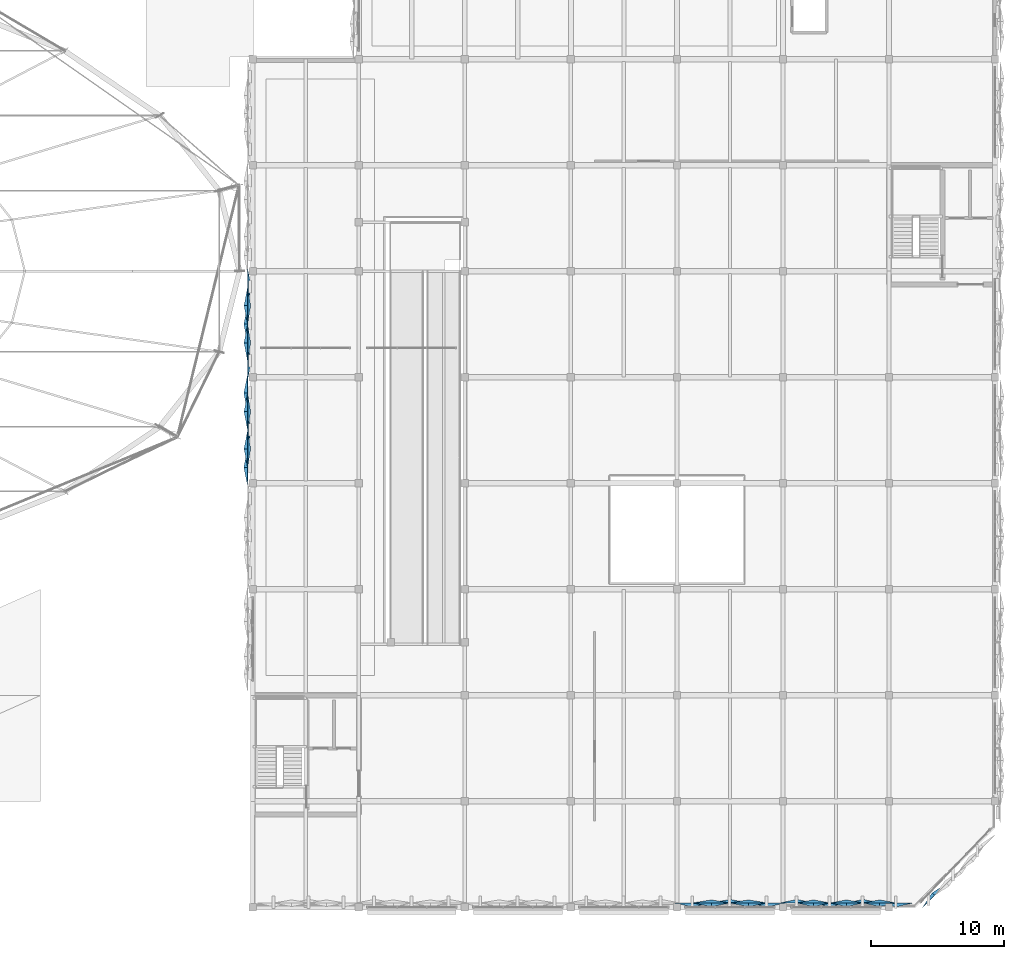
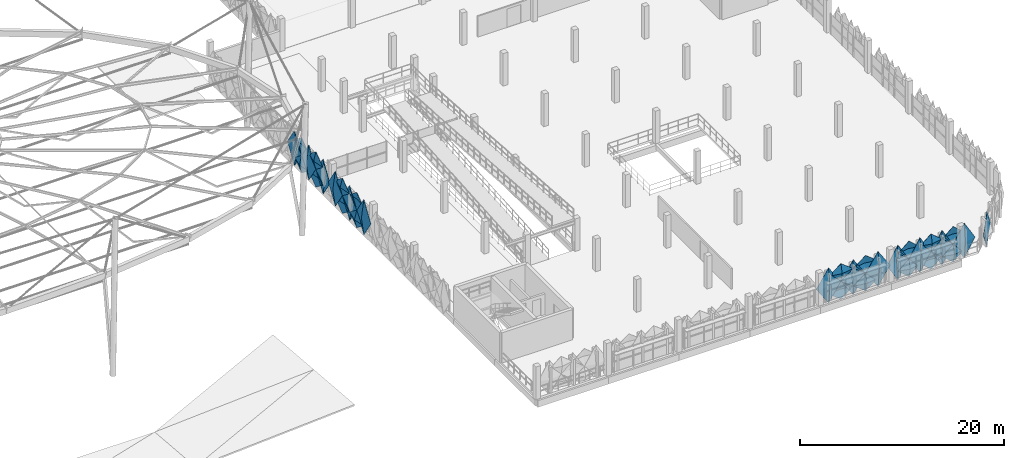
# One storey, part 70 of 96: 32 plates.
"""IFC4 building model written with IfcOpenShell, lengths in metres."""

from ifc_helpers import new_model, si_unit, derived_unit, direction, frame, origin, place, context, subcontext, project, spatial, polygons, material, layer, layer_set, type_object, element, save


model = new_model("IFC4")

# Units and contexts
model_context = context("Model", 3, precision=1e-05, world=origin(), true_north=direction((0.0, 1.0)))
body_context = subcontext(model_context, "Body", "Model", "MODEL_VIEW")
ifc_project = project(units=[si_unit("LENGTHUNIT", "METRE"), si_unit("AREAUNIT", "SQUARE_METRE"), si_unit("VOLUMEUNIT", "CUBIC_METRE"), si_unit("PLANEANGLEUNIT", "RADIAN"), si_unit("MASSUNIT", "GRAM", prefix="KILO"), si_unit("THERMODYNAMICTEMPERATUREUNIT", "KELVIN"), derived_unit("THERMALTRANSMITTANCEUNIT", [(si_unit("POWERUNIT", "WATT"), 1), (si_unit("AREAUNIT", "SQUARE_METRE"), -1), (si_unit("THERMODYNAMICTEMPERATUREUNIT", "KELVIN"), -1)])], contexts=[model_context])

# Site, building, storey
site_placement = place(None, origin())
site = spatial("IfcSite", under=ifc_project, at=site_placement, CompositionType="ELEMENT")
building_placement = place(site_placement, origin())
building = spatial("IfcBuilding", under=site, at=building_placement, Name="Haiyu Intermodal Mobility Hub", CompositionType="ELEMENT")
storey_placement = place(building_placement, frame((0.0, 0.0, 9.5)))
storey = spatial("IfcBuildingStorey", under=building, at=storey_placement, Name="L02", CompositionType="ELEMENT", Elevation=9.5)

# Plates
ifc_material = material(Name="Anodised aluminium 6063-T6", Category="aluminium")
ifc_layer_1 = layer(ifc_material, 0.01806640625)
ifc_layer_set_1 = layer_set([ifc_layer_1], Name="Anodised aluminium 6063-T6")
plate_type_1 = type_object("IfcPlateType", Name="PLT-FC01", PredefinedType="USERDEFINED", material=ifc_layer_set_1)
plate_1_placement = place(storey_placement, origin())
element("IfcPlate", 1, at=plate_1_placement, inside=storey, type_object=plate_type_1, Name="PLT-PYR-1642", ObjectType="FACADE CASSETTE", PredefinedType="USERDEFINED", context=body_context, shape_type="Tessellation", body=[
    polygons([(192.800048828125, 16.320068359375, -0.510009765625), (194.179931640625, 16.320068359375, 1.60009765625), (192.800048828125, 16.320068359375, 3.7099609375), (191.419921875, 16.320068359375, 1.60009765625), (192.800048828125, 16.0400390625, 1.60009765625), (192.800048828125, 16.342041015625, -0.510009765625), (194.179931640625, 16.342041015625, 1.60009765625), (192.800048828125, 16.342041015625, 3.7099609375), (191.419921875, 16.342041015625, 1.60009765625), (192.800048828125, 16.06201171875, 1.60009765625)], [[[1, 2, 5]], [[2, 3, 5]], [[3, 4, 5]], [[4, 1, 5]], [[7, 6, 10]], [[8, 7, 10]], [[9, 8, 10]], [[6, 9, 10]], [[1, 6, 7, 2]], [[2, 7, 8, 3]], [[3, 8, 9, 4]], [[4, 9, 6, 1]]], closed=True),
])
plate_2_placement = place(storey_placement, origin())
element("IfcPlate", 2, at=plate_2_placement, inside=storey, type_object=plate_type_1, Name="PLT-PYR-1715", ObjectType="FACADE CASSETTE", PredefinedType="USERDEFINED", context=body_context, shape_type="Tessellation", body=[
    polygons([(153.60009765625, 49.199951171875, -0.510009765625), (153.60009765625, 47.820068359375, 1.60009765625), (153.60009765625, 49.199951171875, 3.7099609375), (153.60009765625, 50.580078125, 1.60009765625), (153.320068359375, 49.199951171875, 1.60009765625), (153.6220703125, 49.199951171875, -0.510009765625), (153.6220703125, 47.820068359375, 1.60009765625), (153.6220703125, 49.199951171875, 3.7099609375), (153.6220703125, 50.580078125, 1.60009765625), (153.342041015625, 49.199951171875, 1.60009765625)], [[[1, 2, 5]], [[2, 3, 5]], [[3, 4, 5]], [[4, 1, 5]], [[7, 6, 10]], [[8, 7, 10]], [[9, 8, 10]], [[6, 9, 10]], [[1, 6, 7, 2]], [[2, 7, 8, 3]], [[3, 8, 9, 4]], [[4, 9, 6, 1]]], closed=True),
])
ifc_layer_2 = layer(ifc_material, 0.02001953125)
ifc_layer_set_2 = layer_set([ifc_layer_2], Name="Anodised aluminium 6063-T6")
plate_type_2 = type_object("IfcPlateType", Name="PLT-FC02", PredefinedType="USERDEFINED", material=ifc_layer_set_2)
plate_3_placement = place(storey_placement, origin())
element("IfcPlate", 3, at=plate_3_placement, inside=storey, type_object=plate_type_2, Name="PLT-PYR-1649", ObjectType="FACADE CASSETTE", PredefinedType="USERDEFINED", context=body_context, shape_type="Tessellation", body=[
    polygons([(200.050048828125, 16.320068359375, -0.510009765625), (201.280029296875, 16.320068359375, 1.60009765625), (200.050048828125, 16.320068359375, 3.7099609375), (198.820068359375, 16.320068359375, 1.60009765625), (200.050048828125, 16.580078125, 1.60009765625), (200.050048828125, 16.342041015625, -0.510009765625), (201.280029296875, 16.342041015625, 1.60009765625), (200.050048828125, 16.342041015625, 3.7099609375), (198.820068359375, 16.342041015625, 1.60009765625), (200.050048828125, 16.60205078125, 1.60009765625)], [[[1, 2, 5]], [[2, 3, 5]], [[3, 4, 5]], [[4, 1, 5]], [[7, 6, 10]], [[8, 7, 10]], [[9, 8, 10]], [[6, 9, 10]], [[1, 6, 7, 2]], [[2, 7, 8, 3]], [[3, 8, 9, 4]], [[4, 9, 6, 1]]], closed=True),
])
plate_4_placement = place(storey_placement, origin())
element("IfcPlate", 4, at=plate_4_placement, inside=storey, type_object=plate_type_2, Name="PLT-PYR-1722", ObjectType="FACADE CASSETTE", PredefinedType="USERDEFINED", context=body_context, shape_type="Tessellation", body=[
    polygons([(153.60009765625, 57.199951171875, -0.510009765625), (153.60009765625, 55.820068359375, 1.60009765625), (153.60009765625, 57.199951171875, 3.7099609375), (153.60009765625, 58.580078125, 1.60009765625), (153.860107421875, 57.199951171875, 1.60009765625), (153.6220703125, 57.199951171875, -0.510009765625), (153.6220703125, 55.820068359375, 1.60009765625), (153.6220703125, 57.199951171875, 3.7099609375), (153.6220703125, 58.580078125, 1.60009765625), (153.882080078125, 57.199951171875, 1.60009765625)], [[[1, 2, 5]], [[2, 3, 5]], [[3, 4, 5]], [[4, 1, 5]], [[7, 6, 10]], [[8, 7, 10]], [[9, 8, 10]], [[6, 9, 10]], [[1, 6, 7, 2]], [[2, 7, 8, 3]], [[3, 8, 9, 4]], [[4, 9, 6, 1]]], closed=True),
])
ifc_layer_3 = layer(ifc_material, 0.01806640625)
ifc_layer_set_3 = layer_set([ifc_layer_3], Name="Anodised aluminium 6063-T6")
plate_type_3 = type_object("IfcPlateType", Name="PLT-FC03", PredefinedType="USERDEFINED", material=ifc_layer_set_3)
plate_5_placement = place(storey_placement, origin())
element("IfcPlate", 5, at=plate_5_placement, inside=storey, type_object=plate_type_3, Name="PLT-PYR-1652", ObjectType="FACADE CASSETTE", PredefinedType="USERDEFINED", context=body_context, shape_type="Tessellation", body=[
    polygons([(202.550048828125, 16.320068359375, -0.510009765625), (203.780029296875, 16.320068359375, 1.60009765625), (202.550048828125, 16.320068359375, 3.7099609375), (201.320068359375, 16.320068359375, 1.60009765625), (202.550048828125, 16.0400390625, 1.60009765625), (202.550048828125, 16.342041015625, -0.510009765625), (203.780029296875, 16.342041015625, 1.60009765625), (202.550048828125, 16.342041015625, 3.7099609375), (201.320068359375, 16.342041015625, 1.60009765625), (202.550048828125, 16.06201171875, 1.60009765625)], [[[1, 2, 5]], [[2, 3, 5]], [[3, 4, 5]], [[4, 1, 5]], [[7, 6, 10]], [[8, 7, 10]], [[9, 8, 10]], [[6, 9, 10]], [[1, 6, 7, 2]], [[2, 7, 8, 3]], [[3, 8, 9, 4]], [[4, 9, 6, 1]]], closed=True),
])
ifc_layer_4 = layer(ifc_material, 0.01806640625)
ifc_layer_set_4 = layer_set([ifc_layer_4], Name="Anodised aluminium 6063-T6")
plate_type_4 = type_object("IfcPlateType", Name="PLT-FC05", PredefinedType="USERDEFINED", material=ifc_layer_set_4)
plate_6_placement = place(storey_placement, origin())
element("IfcPlate", 6, at=plate_6_placement, inside=storey, type_object=plate_type_4, Name="PLT-PYR-1636", ObjectType="FACADE CASSETTE", PredefinedType="USERDEFINED", context=body_context, shape_type="Tessellation", body=[
    polygons([(187.199951171875, 16.320068359375, -0.510009765625), (188.580078125, 16.320068359375, 1.60009765625), (187.199951171875, 16.320068359375, 3.7099609375), (185.820068359375, 16.320068359375, 1.60009765625), (187.199951171875, 16.0400390625, 1.60009765625), (187.199951171875, 16.342041015625, -0.510009765625), (188.580078125, 16.342041015625, 1.60009765625), (187.199951171875, 16.342041015625, 3.7099609375), (185.820068359375, 16.342041015625, 1.60009765625), (187.199951171875, 16.06201171875, 1.60009765625)], [[[1, 2, 5]], [[2, 3, 5]], [[3, 4, 5]], [[4, 1, 5]], [[7, 6, 10]], [[8, 7, 10]], [[9, 8, 10]], [[6, 9, 10]], [[1, 6, 7, 2]], [[2, 7, 8, 3]], [[3, 8, 9, 4]], [[4, 9, 6, 1]]], closed=True),
])
plate_7_placement = place(storey_placement, origin())
element("IfcPlate", 7, at=plate_7_placement, inside=storey, type_object=plate_type_4, Name="PLT-PYR-1640", ObjectType="FACADE CASSETTE", PredefinedType="USERDEFINED", context=body_context, shape_type="Tessellation", body=[
    polygons([(191.39990234375, 16.320068359375, -0.52001953125), (192.780029296875, 16.320068359375, 0.530029296875), (191.39990234375, 16.320068359375, 1.580078125), (190.02001953125, 16.320068359375, 0.530029296875), (191.39990234375, 16.06005859375, 0.530029296875), (191.39990234375, 16.342041015625, -0.52001953125), (192.780029296875, 16.342041015625, 0.530029296875), (191.39990234375, 16.342041015625, 1.580078125), (190.02001953125, 16.342041015625, 0.530029296875), (191.39990234375, 16.08203125, 0.530029296875)], [[[1, 2, 5]], [[2, 3, 5]], [[3, 4, 5]], [[4, 1, 5]], [[7, 6, 10]], [[8, 7, 10]], [[9, 8, 10]], [[6, 9, 10]], [[1, 6, 7, 2]], [[2, 7, 8, 3]], [[3, 8, 9, 4]], [[4, 9, 6, 1]]], closed=True),
])
plate_8_placement = place(storey_placement, origin())
element("IfcPlate", 8, at=plate_8_placement, inside=storey, type_object=plate_type_4, Name="PLT-PYR-1644", ObjectType="FACADE CASSETTE", PredefinedType="USERDEFINED", context=body_context, shape_type="Tessellation", body=[
    polygons([(196.300048828125, 16.320068359375, -0.52001953125), (197.530029296875, 16.320068359375, 0.530029296875), (196.300048828125, 16.320068359375, 1.580078125), (195.070068359375, 16.320068359375, 0.530029296875), (196.300048828125, 16.06005859375, 0.530029296875), (196.300048828125, 16.342041015625, -0.52001953125), (197.530029296875, 16.342041015625, 0.530029296875), (196.300048828125, 16.342041015625, 1.580078125), (195.070068359375, 16.342041015625, 0.530029296875), (196.300048828125, 16.08203125, 0.530029296875)], [[[1, 2, 5]], [[2, 3, 5]], [[3, 4, 5]], [[4, 1, 5]], [[7, 6, 10]], [[8, 7, 10]], [[9, 8, 10]], [[6, 9, 10]], [[1, 6, 7, 2]], [[2, 7, 8, 3]], [[3, 8, 9, 4]], [[4, 9, 6, 1]]], closed=True),
])
plate_9_placement = place(storey_placement, origin())
element("IfcPlate", 9, at=plate_9_placement, inside=storey, type_object=plate_type_4, Name="PLT-PYR-1650", ObjectType="FACADE CASSETTE", PredefinedType="USERDEFINED", context=body_context, shape_type="Tessellation", body=[
    polygons([(201.300048828125, 16.320068359375, -0.52001953125), (202.530029296875, 16.320068359375, 0.530029296875), (201.300048828125, 16.320068359375, 1.580078125), (200.070068359375, 16.320068359375, 0.530029296875), (201.300048828125, 16.06005859375, 0.530029296875), (201.300048828125, 16.342041015625, -0.52001953125), (202.530029296875, 16.342041015625, 0.530029296875), (201.300048828125, 16.342041015625, 1.580078125), (200.070068359375, 16.342041015625, 0.530029296875), (201.300048828125, 16.08203125, 0.530029296875)], [[[1, 2, 5]], [[2, 3, 5]], [[3, 4, 5]], [[4, 1, 5]], [[7, 6, 10]], [[8, 7, 10]], [[9, 8, 10]], [[6, 9, 10]], [[1, 6, 7, 2]], [[2, 7, 8, 3]], [[3, 8, 9, 4]], [[4, 9, 6, 1]]], closed=True),
])
plate_10_placement = place(storey_placement, origin())
element("IfcPlate", 10, at=plate_10_placement, inside=storey, type_object=plate_type_4, Name="PLT-PYR-1709", ObjectType="FACADE CASSETTE", PredefinedType="USERDEFINED", context=body_context, shape_type="Tessellation", body=[
    polygons([(153.60009765625, 54.800048828125, -0.510009765625), (153.60009765625, 53.419921875, 1.60009765625), (153.60009765625, 54.800048828125, 3.7099609375), (153.60009765625, 56.179931640625, 1.60009765625), (153.320068359375, 54.800048828125, 1.60009765625), (153.6220703125, 54.800048828125, -0.510009765625), (153.6220703125, 53.419921875, 1.60009765625), (153.6220703125, 54.800048828125, 3.7099609375), (153.6220703125, 56.179931640625, 1.60009765625), (153.342041015625, 54.800048828125, 1.60009765625)], [[[1, 2, 5]], [[2, 3, 5]], [[3, 4, 5]], [[4, 1, 5]], [[7, 6, 10]], [[8, 7, 10]], [[9, 8, 10]], [[6, 9, 10]], [[1, 6, 7, 2]], [[2, 7, 8, 3]], [[3, 8, 9, 4]], [[4, 9, 6, 1]]], closed=True),
])
plate_11_placement = place(storey_placement, origin())
element("IfcPlate", 11, at=plate_11_placement, inside=storey, type_object=plate_type_4, Name="PLT-PYR-1713", ObjectType="FACADE CASSETTE", PredefinedType="USERDEFINED", context=body_context, shape_type="Tessellation", body=[
    polygons([(153.60009765625, 50.60009765625, -0.52001953125), (153.60009765625, 49.219970703125, 0.530029296875), (153.60009765625, 50.60009765625, 1.580078125), (153.60009765625, 51.97998046875, 0.530029296875), (153.340087890625, 50.60009765625, 0.530029296875), (153.6220703125, 50.60009765625, -0.52001953125), (153.6220703125, 49.219970703125, 0.530029296875), (153.6220703125, 50.60009765625, 1.580078125), (153.6220703125, 51.97998046875, 0.530029296875), (153.362060546875, 50.60009765625, 0.530029296875)], [[[1, 2, 5]], [[2, 3, 5]], [[3, 4, 5]], [[4, 1, 5]], [[7, 6, 10]], [[8, 7, 10]], [[9, 8, 10]], [[6, 9, 10]], [[1, 6, 7, 2]], [[2, 7, 8, 3]], [[3, 8, 9, 4]], [[4, 9, 6, 1]]], closed=True),
])
plate_12_placement = place(storey_placement, origin())
element("IfcPlate", 12, at=plate_12_placement, inside=storey, type_object=plate_type_4, Name="PLT-PYR-1717", ObjectType="FACADE CASSETTE", PredefinedType="USERDEFINED", context=body_context, shape_type="Tessellation", body=[
    polygons([(153.60009765625, 61.39990234375, -0.52001953125), (153.60009765625, 60.02001953125, 0.530029296875), (153.60009765625, 61.39990234375, 1.580078125), (153.60009765625, 62.780029296875, 0.530029296875), (153.340087890625, 61.39990234375, 0.530029296875), (153.6220703125, 61.39990234375, -0.52001953125), (153.6220703125, 60.02001953125, 0.530029296875), (153.6220703125, 61.39990234375, 1.580078125), (153.6220703125, 62.780029296875, 0.530029296875), (153.362060546875, 61.39990234375, 0.530029296875)], [[[1, 2, 5]], [[2, 3, 5]], [[3, 4, 5]], [[4, 1, 5]], [[7, 6, 10]], [[8, 7, 10]], [[9, 8, 10]], [[6, 9, 10]], [[1, 6, 7, 2]], [[2, 7, 8, 3]], [[3, 8, 9, 4]], [[4, 9, 6, 1]]], closed=True),
])
ifc_layer_5 = layer(ifc_material, 0.02001953125)
ifc_layer_set_5 = layer_set([ifc_layer_5], Name="Anodised aluminium 6063-T6")
plate_type_5 = type_object("IfcPlateType", Name="PLT-FC06", PredefinedType="USERDEFINED", material=ifc_layer_set_5)
plate_13_placement = place(storey_placement, origin())
element("IfcPlate", 13, at=plate_13_placement, inside=storey, type_object=plate_type_5, Name="PLT-PYR-1465", ObjectType="FACADE CASSETTE", PredefinedType="USERDEFINED", context=body_context, shape_type="Tessellation", body=[
    polygons([(205.449951171875, 16.884033203125, -0.510009765625), (206.35205078125, 17.785888671875, 1.60009765625), (205.449951171875, 16.884033203125, 3.7099609375), (204.547119140625, 15.98095703125, 1.60009765625), (205.26611328125, 17.068115234375, 1.60009765625), (205.43408203125, 16.89892578125, -0.510009765625), (206.3359375, 17.802001953125, 1.60009765625), (205.43408203125, 16.89892578125, 3.7099609375), (204.531005859375, 15.9970703125, 1.60009765625), (205.25, 17.0830078125, 1.60009765625)], [[[1, 2, 5]], [[2, 3, 5]], [[3, 4, 5]], [[4, 1, 5]], [[7, 6, 10]], [[8, 7, 10]], [[9, 8, 10]], [[6, 9, 10]], [[1, 6, 7, 2]], [[2, 7, 8, 3]], [[3, 8, 9, 4]], [[4, 9, 6, 1]]], closed=True),
])
plate_14_placement = place(storey_placement, origin())
element("IfcPlate", 14, at=plate_14_placement, inside=storey, type_object=plate_type_5, Name="PLT-PYR-1637", ObjectType="FACADE CASSETTE", PredefinedType="USERDEFINED", context=body_context, shape_type="Tessellation", body=[
    polygons([(188.60009765625, 16.320068359375, -0.52001953125), (189.97998046875, 16.320068359375, 0.530029296875), (188.60009765625, 16.320068359375, 1.580078125), (187.219970703125, 16.320068359375, 0.530029296875), (188.60009765625, 16.5400390625, 0.530029296875), (188.60009765625, 16.342041015625, -0.52001953125), (189.97998046875, 16.342041015625, 0.530029296875), (188.60009765625, 16.342041015625, 1.580078125), (187.219970703125, 16.342041015625, 0.530029296875), (188.60009765625, 16.56201171875, 0.530029296875)], [[[1, 2, 5]], [[2, 3, 5]], [[3, 4, 5]], [[4, 1, 5]], [[7, 6, 10]], [[8, 7, 10]], [[9, 8, 10]], [[6, 9, 10]], [[1, 6, 7, 2]], [[2, 7, 8, 3]], [[3, 8, 9, 4]], [[4, 9, 6, 1]]], closed=True),
])
plate_15_placement = place(storey_placement, origin())
element("IfcPlate", 15, at=plate_15_placement, inside=storey, type_object=plate_type_5, Name="PLT-PYR-1643", ObjectType="FACADE CASSETTE", PredefinedType="USERDEFINED", context=body_context, shape_type="Tessellation", body=[
    polygons([(195.050048828125, 16.320068359375, -0.510009765625), (196.280029296875, 16.320068359375, 1.60009765625), (195.050048828125, 16.320068359375, 3.7099609375), (193.820068359375, 16.320068359375, 1.60009765625), (195.050048828125, 16.580078125, 1.60009765625), (195.050048828125, 16.342041015625, -0.510009765625), (196.280029296875, 16.342041015625, 1.60009765625), (195.050048828125, 16.342041015625, 3.7099609375), (193.820068359375, 16.342041015625, 1.60009765625), (195.050048828125, 16.60205078125, 1.60009765625)], [[[1, 2, 5]], [[2, 3, 5]], [[3, 4, 5]], [[4, 1, 5]], [[7, 6, 10]], [[8, 7, 10]], [[9, 8, 10]], [[6, 9, 10]], [[1, 6, 7, 2]], [[2, 7, 8, 3]], [[3, 8, 9, 4]], [[4, 9, 6, 1]]], closed=True),
])
plate_16_placement = place(storey_placement, origin())
element("IfcPlate", 16, at=plate_16_placement, inside=storey, type_object=plate_type_5, Name="PLT-PYR-1647", ObjectType="FACADE CASSETTE", PredefinedType="USERDEFINED", context=body_context, shape_type="Tessellation", body=[
    polygons([(198.800048828125, 16.320068359375, -0.52001953125), (200.030029296875, 16.320068359375, 0.530029296875), (198.800048828125, 16.320068359375, 1.580078125), (197.570068359375, 16.320068359375, 0.530029296875), (198.800048828125, 16.5400390625, 0.530029296875), (198.800048828125, 16.342041015625, -0.52001953125), (200.030029296875, 16.342041015625, 0.530029296875), (198.800048828125, 16.342041015625, 1.580078125), (197.570068359375, 16.342041015625, 0.530029296875), (198.800048828125, 16.56201171875, 0.530029296875)], [[[1, 2, 5]], [[2, 3, 5]], [[3, 4, 5]], [[4, 1, 5]], [[7, 6, 10]], [[8, 7, 10]], [[9, 8, 10]], [[6, 9, 10]], [[1, 6, 7, 2]], [[2, 7, 8, 3]], [[3, 8, 9, 4]], [[4, 9, 6, 1]]], closed=True),
])
plate_17_placement = place(storey_placement, origin())
element("IfcPlate", 17, at=plate_17_placement, inside=storey, type_object=plate_type_5, Name="PLT-PYR-1710", ObjectType="FACADE CASSETTE", PredefinedType="USERDEFINED", context=body_context, shape_type="Tessellation", body=[
    polygons([(153.60009765625, 53.39990234375, -0.52001953125), (153.60009765625, 52.02001953125, 0.530029296875), (153.60009765625, 53.39990234375, 1.580078125), (153.60009765625, 54.780029296875, 0.530029296875), (153.820068359375, 53.39990234375, 0.530029296875), (153.6220703125, 53.39990234375, -0.52001953125), (153.6220703125, 52.02001953125, 0.530029296875), (153.6220703125, 53.39990234375, 1.580078125), (153.6220703125, 54.780029296875, 0.530029296875), (153.842041015625, 53.39990234375, 0.530029296875)], [[[1, 2, 5]], [[2, 3, 5]], [[3, 4, 5]], [[4, 1, 5]], [[7, 6, 10]], [[8, 7, 10]], [[9, 8, 10]], [[6, 9, 10]], [[1, 6, 7, 2]], [[2, 7, 8, 3]], [[3, 8, 9, 4]], [[4, 9, 6, 1]]], closed=True),
])
plate_18_placement = place(storey_placement, origin())
element("IfcPlate", 18, at=plate_18_placement, inside=storey, type_object=plate_type_5, Name="PLT-PYR-1716", ObjectType="FACADE CASSETTE", PredefinedType="USERDEFINED", context=body_context, shape_type="Tessellation", body=[
    polygons([(153.60009765625, 62.800048828125, -0.510009765625), (153.60009765625, 61.419921875, 1.60009765625), (153.60009765625, 62.800048828125, 3.7099609375), (153.60009765625, 64.179931640625, 1.60009765625), (153.860107421875, 62.800048828125, 1.60009765625), (153.6220703125, 62.800048828125, -0.510009765625), (153.6220703125, 61.419921875, 1.60009765625), (153.6220703125, 62.800048828125, 3.7099609375), (153.6220703125, 64.179931640625, 1.60009765625), (153.882080078125, 62.800048828125, 1.60009765625)], [[[1, 2, 5]], [[2, 3, 5]], [[3, 4, 5]], [[4, 1, 5]], [[7, 6, 10]], [[8, 7, 10]], [[9, 8, 10]], [[6, 9, 10]], [[1, 6, 7, 2]], [[2, 7, 8, 3]], [[3, 8, 9, 4]], [[4, 9, 6, 1]]], closed=True),
])
plate_19_placement = place(storey_placement, origin())
element("IfcPlate", 19, at=plate_19_placement, inside=storey, type_object=plate_type_5, Name="PLT-PYR-1720", ObjectType="FACADE CASSETTE", PredefinedType="USERDEFINED", context=body_context, shape_type="Tessellation", body=[
    polygons([(153.60009765625, 58.60009765625, -0.52001953125), (153.60009765625, 57.219970703125, 0.530029296875), (153.60009765625, 58.60009765625, 1.580078125), (153.60009765625, 59.97998046875, 0.530029296875), (153.820068359375, 58.60009765625, 0.530029296875), (153.6220703125, 58.60009765625, -0.52001953125), (153.6220703125, 57.219970703125, 0.530029296875), (153.6220703125, 58.60009765625, 1.580078125), (153.6220703125, 59.97998046875, 0.530029296875), (153.842041015625, 58.60009765625, 0.530029296875)], [[[1, 2, 5]], [[2, 3, 5]], [[3, 4, 5]], [[4, 1, 5]], [[7, 6, 10]], [[8, 7, 10]], [[9, 8, 10]], [[6, 9, 10]], [[1, 6, 7, 2]], [[2, 7, 8, 3]], [[3, 8, 9, 4]], [[4, 9, 6, 1]]], closed=True),
])
ifc_layer_6 = layer(ifc_material, 0.02197265625)
ifc_layer_set_6 = layer_set([ifc_layer_6], Name="Anodised aluminium 6063-T6")
plate_type_6 = type_object("IfcPlateType", Name="PLT-FC07", PredefinedType="USERDEFINED", material=ifc_layer_set_6)
plate_20_placement = place(storey_placement, origin())
element("IfcPlate", 20, at=plate_20_placement, inside=storey, type_object=plate_type_6, Name="PLT-PYR-1638", ObjectType="FACADE CASSETTE", PredefinedType="USERDEFINED", context=body_context, shape_type="Tessellation", body=[
    polygons([(188.60009765625, 16.320068359375, 1.6201171875), (189.97998046875, 16.320068359375, 2.669921875), (188.60009765625, 16.320068359375, 3.719970703125), (187.219970703125, 16.320068359375, 2.669921875), (188.60009765625, 16.06005859375, 2.669921875), (188.60009765625, 16.342041015625, 1.6201171875), (189.97998046875, 16.342041015625, 2.669921875), (188.60009765625, 16.342041015625, 3.719970703125), (187.219970703125, 16.342041015625, 2.669921875), (188.60009765625, 16.08203125, 2.669921875)], [[[1, 2, 5]], [[2, 3, 5]], [[3, 4, 5]], [[4, 1, 5]], [[7, 6, 10]], [[8, 7, 10]], [[9, 8, 10]], [[6, 9, 10]], [[1, 6, 7, 2]], [[2, 7, 8, 3]], [[3, 8, 9, 4]], [[4, 9, 6, 1]]], closed=True),
])
plate_21_placement = place(storey_placement, origin())
element("IfcPlate", 21, at=plate_21_placement, inside=storey, type_object=plate_type_6, Name="PLT-PYR-1646", ObjectType="FACADE CASSETTE", PredefinedType="USERDEFINED", context=body_context, shape_type="Tessellation", body=[
    polygons([(197.550048828125, 16.320068359375, -0.510009765625), (198.780029296875, 16.320068359375, 1.60009765625), (197.550048828125, 16.320068359375, 3.7099609375), (196.320068359375, 16.320068359375, 1.60009765625), (197.550048828125, 16.0400390625, 1.60009765625), (197.550048828125, 16.342041015625, -0.510009765625), (198.780029296875, 16.342041015625, 1.60009765625), (197.550048828125, 16.342041015625, 3.7099609375), (196.320068359375, 16.342041015625, 1.60009765625), (197.550048828125, 16.06201171875, 1.60009765625)], [[[1, 2, 5]], [[2, 3, 5]], [[3, 4, 5]], [[4, 1, 5]], [[7, 6, 10]], [[8, 7, 10]], [[9, 8, 10]], [[6, 9, 10]], [[1, 6, 7, 2]], [[2, 7, 8, 3]], [[3, 8, 9, 4]], [[4, 9, 6, 1]]], closed=True),
])
plate_22_placement = place(storey_placement, origin())
element("IfcPlate", 22, at=plate_22_placement, inside=storey, type_object=plate_type_6, Name="PLT-PYR-1648", ObjectType="FACADE CASSETTE", PredefinedType="USERDEFINED", context=body_context, shape_type="Tessellation", body=[
    polygons([(198.800048828125, 16.320068359375, 1.6201171875), (200.030029296875, 16.320068359375, 2.669921875), (198.800048828125, 16.320068359375, 3.719970703125), (197.570068359375, 16.320068359375, 2.669921875), (198.800048828125, 16.06005859375, 2.669921875), (198.800048828125, 16.342041015625, 1.6201171875), (200.030029296875, 16.342041015625, 2.669921875), (198.800048828125, 16.342041015625, 3.719970703125), (197.570068359375, 16.342041015625, 2.669921875), (198.800048828125, 16.08203125, 2.669921875)], [[[1, 2, 5]], [[2, 3, 5]], [[3, 4, 5]], [[4, 1, 5]], [[7, 6, 10]], [[8, 7, 10]], [[9, 8, 10]], [[6, 9, 10]], [[1, 6, 7, 2]], [[2, 7, 8, 3]], [[3, 8, 9, 4]], [[4, 9, 6, 1]]], closed=True),
])
plate_23_placement = place(storey_placement, origin())
element("IfcPlate", 23, at=plate_23_placement, inside=storey, type_object=plate_type_6, Name="PLT-PYR-1711", ObjectType="FACADE CASSETTE", PredefinedType="USERDEFINED", context=body_context, shape_type="Tessellation", body=[
    polygons([(153.60009765625, 53.39990234375, 1.6201171875), (153.60009765625, 52.02001953125, 2.669921875), (153.60009765625, 53.39990234375, 3.719970703125), (153.60009765625, 54.780029296875, 2.669921875), (153.340087890625, 53.39990234375, 2.669921875), (153.6220703125, 53.39990234375, 1.6201171875), (153.6220703125, 52.02001953125, 2.669921875), (153.6220703125, 53.39990234375, 3.719970703125), (153.6220703125, 54.780029296875, 2.669921875), (153.362060546875, 53.39990234375, 2.669921875)], [[[1, 2, 5]], [[2, 3, 5]], [[3, 4, 5]], [[4, 1, 5]], [[7, 6, 10]], [[8, 7, 10]], [[9, 8, 10]], [[6, 9, 10]], [[1, 6, 7, 2]], [[2, 7, 8, 3]], [[3, 8, 9, 4]], [[4, 9, 6, 1]]], closed=True),
])
plate_24_placement = place(storey_placement, origin())
element("IfcPlate", 24, at=plate_24_placement, inside=storey, type_object=plate_type_6, Name="PLT-PYR-1719", ObjectType="FACADE CASSETTE", PredefinedType="USERDEFINED", context=body_context, shape_type="Tessellation", body=[
    polygons([(153.60009765625, 60.0, -0.510009765625), (153.60009765625, 58.6201171875, 1.60009765625), (153.60009765625, 60.0, 3.7099609375), (153.60009765625, 61.3798828125, 1.60009765625), (153.320068359375, 60.0, 1.60009765625), (153.6220703125, 60.0, -0.510009765625), (153.6220703125, 58.6201171875, 1.60009765625), (153.6220703125, 60.0, 3.7099609375), (153.6220703125, 61.3798828125, 1.60009765625), (153.342041015625, 60.0, 1.60009765625)], [[[1, 2, 5]], [[2, 3, 5]], [[3, 4, 5]], [[4, 1, 5]], [[7, 6, 10]], [[8, 7, 10]], [[9, 8, 10]], [[6, 9, 10]], [[1, 6, 7, 2]], [[2, 7, 8, 3]], [[3, 8, 9, 4]], [[4, 9, 6, 1]]], closed=True),
])
plate_25_placement = place(storey_placement, origin())
element("IfcPlate", 25, at=plate_25_placement, inside=storey, type_object=plate_type_6, Name="PLT-PYR-1721", ObjectType="FACADE CASSETTE", PredefinedType="USERDEFINED", context=body_context, shape_type="Tessellation", body=[
    polygons([(153.60009765625, 58.60009765625, 1.6201171875), (153.60009765625, 57.219970703125, 2.669921875), (153.60009765625, 58.60009765625, 3.719970703125), (153.60009765625, 59.97998046875, 2.669921875), (153.340087890625, 58.60009765625, 2.669921875), (153.6220703125, 58.60009765625, 1.6201171875), (153.6220703125, 57.219970703125, 2.669921875), (153.6220703125, 58.60009765625, 3.719970703125), (153.6220703125, 59.97998046875, 2.669921875), (153.362060546875, 58.60009765625, 2.669921875)], [[[1, 2, 5]], [[2, 3, 5]], [[3, 4, 5]], [[4, 1, 5]], [[7, 6, 10]], [[8, 7, 10]], [[9, 8, 10]], [[6, 9, 10]], [[1, 6, 7, 2]], [[2, 7, 8, 3]], [[3, 8, 9, 4]], [[4, 9, 6, 1]]], closed=True),
])
ifc_layer_7 = layer(ifc_material, 0.02392578125)
ifc_layer_set_7 = layer_set([ifc_layer_7], Name="Anodised aluminium 6063-T6")
plate_type_7 = type_object("IfcPlateType", Name="PLT-FC08", PredefinedType="USERDEFINED", material=ifc_layer_set_7)
plate_26_placement = place(storey_placement, origin())
element("IfcPlate", 26, at=plate_26_placement, inside=storey, type_object=plate_type_7, Name="PLT-PYR-1639", ObjectType="FACADE CASSETTE", PredefinedType="USERDEFINED", context=body_context, shape_type="Tessellation", body=[
    polygons([(190.0, 16.320068359375, -0.510009765625), (191.3798828125, 16.320068359375, 1.60009765625), (190.0, 16.320068359375, 3.7099609375), (188.6201171875, 16.320068359375, 1.60009765625), (190.0, 16.580078125, 1.60009765625), (190.0, 16.342041015625, -0.510009765625), (191.3798828125, 16.342041015625, 1.60009765625), (190.0, 16.342041015625, 3.7099609375), (188.6201171875, 16.342041015625, 1.60009765625), (190.0, 16.60205078125, 1.60009765625)], [[[1, 2, 5]], [[2, 3, 5]], [[3, 4, 5]], [[4, 1, 5]], [[7, 6, 10]], [[8, 7, 10]], [[9, 8, 10]], [[6, 9, 10]], [[1, 6, 7, 2]], [[2, 7, 8, 3]], [[3, 8, 9, 4]], [[4, 9, 6, 1]]], closed=True),
])
plate_27_placement = place(storey_placement, origin())
element("IfcPlate", 27, at=plate_27_placement, inside=storey, type_object=plate_type_7, Name="PLT-PYR-1641", ObjectType="FACADE CASSETTE", PredefinedType="USERDEFINED", context=body_context, shape_type="Tessellation", body=[
    polygons([(191.39990234375, 16.320068359375, 1.6201171875), (192.780029296875, 16.320068359375, 2.669921875), (191.39990234375, 16.320068359375, 3.719970703125), (190.02001953125, 16.320068359375, 2.669921875), (191.39990234375, 16.5400390625, 2.669921875), (191.39990234375, 16.342041015625, 1.6201171875), (192.780029296875, 16.342041015625, 2.669921875), (191.39990234375, 16.342041015625, 3.719970703125), (190.02001953125, 16.342041015625, 2.669921875), (191.39990234375, 16.56201171875, 2.669921875)], [[[1, 2, 5]], [[2, 3, 5]], [[3, 4, 5]], [[4, 1, 5]], [[7, 6, 10]], [[8, 7, 10]], [[9, 8, 10]], [[6, 9, 10]], [[1, 6, 7, 2]], [[2, 7, 8, 3]], [[3, 8, 9, 4]], [[4, 9, 6, 1]]], closed=True),
])
plate_28_placement = place(storey_placement, origin())
element("IfcPlate", 28, at=plate_28_placement, inside=storey, type_object=plate_type_7, Name="PLT-PYR-1645", ObjectType="FACADE CASSETTE", PredefinedType="USERDEFINED", context=body_context, shape_type="Tessellation", body=[
    polygons([(196.300048828125, 16.320068359375, 1.6201171875), (197.530029296875, 16.320068359375, 2.669921875), (196.300048828125, 16.320068359375, 3.719970703125), (195.070068359375, 16.320068359375, 2.669921875), (196.300048828125, 16.5400390625, 2.669921875), (196.300048828125, 16.342041015625, 1.6201171875), (197.530029296875, 16.342041015625, 2.669921875), (196.300048828125, 16.342041015625, 3.719970703125), (195.070068359375, 16.342041015625, 2.669921875), (196.300048828125, 16.56201171875, 2.669921875)], [[[1, 2, 5]], [[2, 3, 5]], [[3, 4, 5]], [[4, 1, 5]], [[7, 6, 10]], [[8, 7, 10]], [[9, 8, 10]], [[6, 9, 10]], [[1, 6, 7, 2]], [[2, 7, 8, 3]], [[3, 8, 9, 4]], [[4, 9, 6, 1]]], closed=True),
])
plate_29_placement = place(storey_placement, origin())
element("IfcPlate", 29, at=plate_29_placement, inside=storey, type_object=plate_type_7, Name="PLT-PYR-1651", ObjectType="FACADE CASSETTE", PredefinedType="USERDEFINED", context=body_context, shape_type="Tessellation", body=[
    polygons([(201.300048828125, 16.320068359375, 1.6201171875), (202.530029296875, 16.320068359375, 2.669921875), (201.300048828125, 16.320068359375, 3.719970703125), (200.070068359375, 16.320068359375, 2.669921875), (201.300048828125, 16.5400390625, 2.669921875), (201.300048828125, 16.342041015625, 1.6201171875), (202.530029296875, 16.342041015625, 2.669921875), (201.300048828125, 16.342041015625, 3.719970703125), (200.070068359375, 16.342041015625, 2.669921875), (201.300048828125, 16.56201171875, 2.669921875)], [[[1, 2, 5]], [[2, 3, 5]], [[3, 4, 5]], [[4, 1, 5]], [[7, 6, 10]], [[8, 7, 10]], [[9, 8, 10]], [[6, 9, 10]], [[1, 6, 7, 2]], [[2, 7, 8, 3]], [[3, 8, 9, 4]], [[4, 9, 6, 1]]], closed=True),
])
plate_30_placement = place(storey_placement, origin())
element("IfcPlate", 30, at=plate_30_placement, inside=storey, type_object=plate_type_7, Name="PLT-PYR-1712", ObjectType="FACADE CASSETTE", PredefinedType="USERDEFINED", context=body_context, shape_type="Tessellation", body=[
    polygons([(153.60009765625, 52.0, -0.510009765625), (153.60009765625, 50.6201171875, 1.60009765625), (153.60009765625, 52.0, 3.7099609375), (153.60009765625, 53.3798828125, 1.60009765625), (153.860107421875, 52.0, 1.60009765625), (153.6220703125, 52.0, -0.510009765625), (153.6220703125, 50.6201171875, 1.60009765625), (153.6220703125, 52.0, 3.7099609375), (153.6220703125, 53.3798828125, 1.60009765625), (153.882080078125, 52.0, 1.60009765625)], [[[1, 2, 5]], [[2, 3, 5]], [[3, 4, 5]], [[4, 1, 5]], [[7, 6, 10]], [[8, 7, 10]], [[9, 8, 10]], [[6, 9, 10]], [[1, 6, 7, 2]], [[2, 7, 8, 3]], [[3, 8, 9, 4]], [[4, 9, 6, 1]]], closed=True),
])
plate_31_placement = place(storey_placement, origin())
element("IfcPlate", 31, at=plate_31_placement, inside=storey, type_object=plate_type_7, Name="PLT-PYR-1714", ObjectType="FACADE CASSETTE", PredefinedType="USERDEFINED", context=body_context, shape_type="Tessellation", body=[
    polygons([(153.60009765625, 50.60009765625, 1.6201171875), (153.60009765625, 49.219970703125, 2.669921875), (153.60009765625, 50.60009765625, 3.719970703125), (153.60009765625, 51.97998046875, 2.669921875), (153.820068359375, 50.60009765625, 2.669921875), (153.6220703125, 50.60009765625, 1.6201171875), (153.6220703125, 49.219970703125, 2.669921875), (153.6220703125, 50.60009765625, 3.719970703125), (153.6220703125, 51.97998046875, 2.669921875), (153.842041015625, 50.60009765625, 2.669921875)], [[[1, 2, 5]], [[2, 3, 5]], [[3, 4, 5]], [[4, 1, 5]], [[7, 6, 10]], [[8, 7, 10]], [[9, 8, 10]], [[6, 9, 10]], [[1, 6, 7, 2]], [[2, 7, 8, 3]], [[3, 8, 9, 4]], [[4, 9, 6, 1]]], closed=True),
])
plate_32_placement = place(storey_placement, origin())
element("IfcPlate", 32, at=plate_32_placement, inside=storey, type_object=plate_type_7, Name="PLT-PYR-1718", ObjectType="FACADE CASSETTE", PredefinedType="USERDEFINED", context=body_context, shape_type="Tessellation", body=[
    polygons([(153.60009765625, 61.39990234375, 1.6201171875), (153.60009765625, 60.02001953125, 2.669921875), (153.60009765625, 61.39990234375, 3.719970703125), (153.60009765625, 62.780029296875, 2.669921875), (153.820068359375, 61.39990234375, 2.669921875), (153.6220703125, 61.39990234375, 1.6201171875), (153.6220703125, 60.02001953125, 2.669921875), (153.6220703125, 61.39990234375, 3.719970703125), (153.6220703125, 62.780029296875, 2.669921875), (153.842041015625, 61.39990234375, 2.669921875)], [[[1, 2, 5]], [[2, 3, 5]], [[3, 4, 5]], [[4, 1, 5]], [[7, 6, 10]], [[8, 7, 10]], [[9, 8, 10]], [[6, 9, 10]], [[1, 6, 7, 2]], [[2, 7, 8, 3]], [[3, 8, 9, 4]], [[4, 9, 6, 1]]], closed=True),
])

save(model, "model.ifc")
